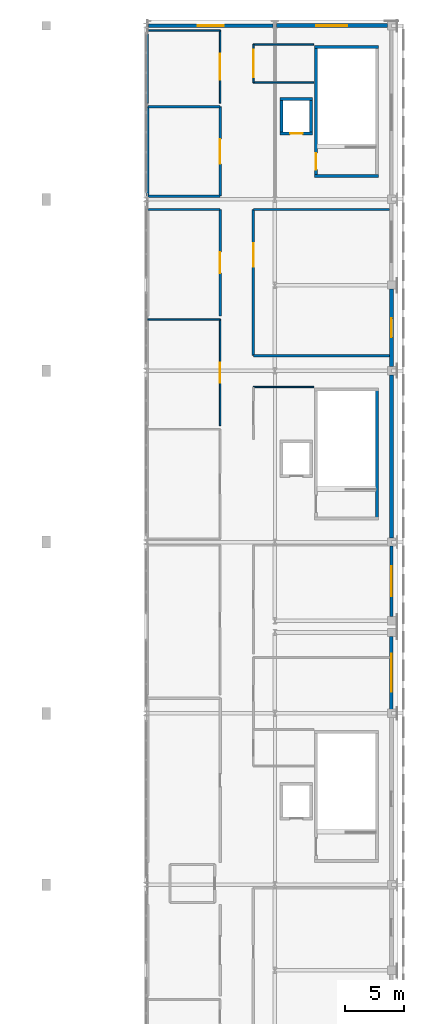
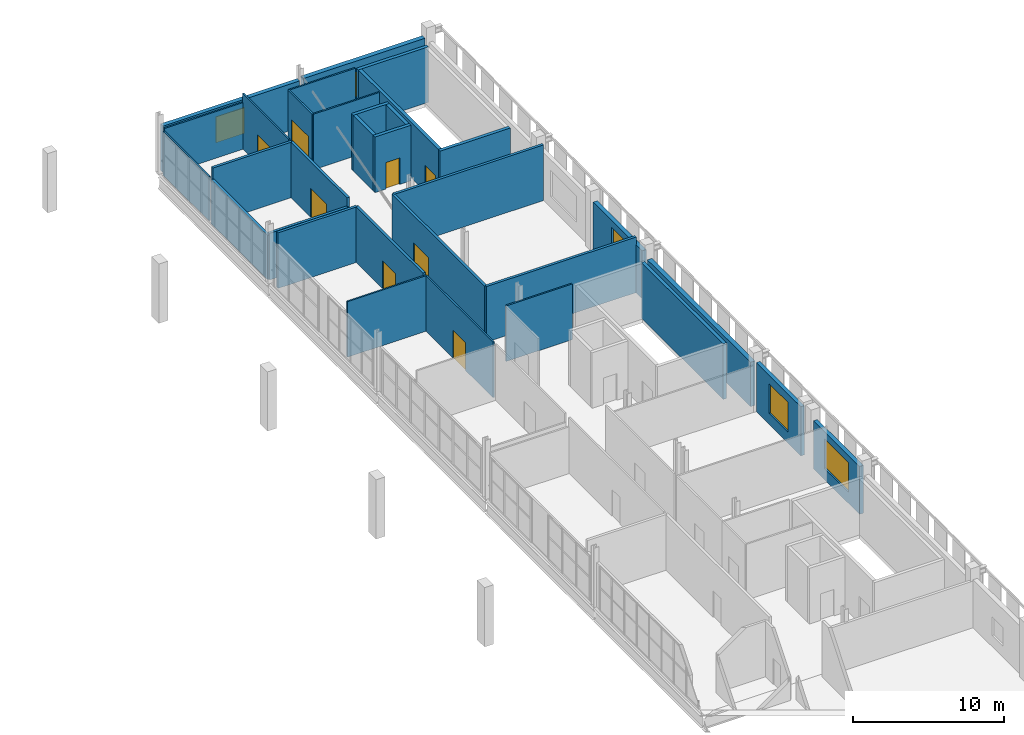
# One storey, part 38 of 51: 32 walls, 8 doors, 5 windows, 13 openings.
"""IFC4 building model written with IfcOpenShell, lengths in metres."""

from ifc_helpers import new_model, si_unit, direction, frame, frame_2d, origin, place, context, subcontext, project, spatial, rectangle, extrude, material, layer, layer_set, type_object, element, fill, save


model = new_model("IFC4")

# Units and contexts
model_context = context("Model", 3, precision=1e-05, world=origin(), true_north=direction((0.0, 1.0)))
body_context = subcontext(model_context, "Body", "Model", "MODEL_VIEW")
ifc_project = project(units=[si_unit("LENGTHUNIT", "METRE"), si_unit("AREAUNIT", "SQUARE_METRE"), si_unit("VOLUMEUNIT", "CUBIC_METRE"), si_unit("PLANEANGLEUNIT", "RADIAN"), si_unit("MASSUNIT", "GRAM", prefix="KILO")], contexts=[model_context])

# Site, building, storey
site_placement = place(None, origin())
site = spatial("IfcSite", under=ifc_project, at=site_placement, CompositionType="ELEMENT")
building_placement = place(site_placement, origin())
building = spatial("IfcBuilding", under=site, at=building_placement, Name="Koshinbarg Plaza Stadium", CompositionType="ELEMENT")
storey_placement = place(building_placement, frame((0.0, 0.0, 24.60009765625)))
storey = spatial("IfcBuildingStorey", under=building, at=storey_placement, Name="L05", CompositionType="ELEMENT", Elevation=24.60009765625)

# Walls
ifc_material_1 = material(Name="Concrete C40/50", Category="concrete")
ifc_layer_1 = layer(ifc_material_1, 0.25)
ifc_layer_set_1 = layer_set([ifc_layer_1], Name="Concrete C40/50")
wall_type_1 = type_object("IfcWallType", Name="WL-CORE-250", PredefinedType="SHEAR", material=ifc_layer_set_1)
wall_1_placement = place(storey_placement, frame((217.195068359375, 85.074951171875, 0.0), z_axis=(0.0, 0.0, 1.0), x_axis=(0.0, 1.0, 0.0)))
element("IfcWall", 1, at=wall_1_placement, inside=storey, type_object=wall_type_1, Name="L05 core stair shear wall C09-right IWL-L05-0233", PredefinedType="SHEAR", context=body_context, shape_type="SweptSolid", body=[
    extrude(rectangle(XDim=10.85009765625, YDim=0.25, at=frame_2d((5.425048828125, 0.0))), origin(), (0.0, 0.0, 1.0), 4.5),
])
for number, where, z_axis, x_axis, name in (
    (2, (211.949951171875, 113.875, 0.0), (0.0, 0.0, 1.0), (1.0, 0.0, 0.0), "L05 core stair shear wall C10-near IWL-L05-0254"),
    (3, (217.320068359375, 124.72509765625, 0.0), (0.0, 0.0, 1.0), (-1.0, 0.0, 0.0), "L05 core stair shear wall C10-far IWL-L05-0255"),
):
    element("IfcWall", number, at=place(storey_placement, frame(where, z_axis=z_axis, x_axis=x_axis)), inside=storey, type_object=wall_type_1, Name=name, PredefinedType="SHEAR", context=body_context, shape_type="SweptSolid", body=[
        extrude(rectangle(XDim=5.3701171875, YDim=0.25, at=frame_2d((2.68505859375, 0.0))), origin(), (0.0, 0.0, 1.0), 4.5),
    ])

# Wall, opening, door
wall_2_placement = place(storey_placement, frame((212.074951171875, 113.875, 0.0), z_axis=(0.0, 0.0, 1.0), x_axis=(0.0, 1.0, 0.0)))
wall_2 = element("IfcWall", 4, at=wall_2_placement, inside=storey, type_object=wall_type_1, Name="L05 core stair shear wall C10-left IWL-L05-0256", PredefinedType="SHEAR", context=body_context, shape_type="SweptSolid", body=[
    extrude(rectangle(XDim=10.85009765625, YDim=0.25, at=frame_2d((5.425048828125, 0.0))), origin(), (0.0, 0.0, 1.0), 4.5),
])
opening_1_placement = place(wall_2_placement, frame((0.52001953125, 0.0, 0.0)))
opening_1 = element("IfcOpeningElement", 5, at=opening_1_placement, cuts=wall_2, Name="Opening D-0126", PredefinedType="OPENING", context=body_context, shape_type="SweptSolid", body=[
    extrude(rectangle(XDim=1.39990234375, YDim=2.14990234375, at=frame_2d((0.699951171875, 1.074951171875))), frame((0.0, 0.135009765625, 0.0), z_axis=(0.0, -1.0, 0.0), x_axis=(1.0, 0.0, 0.0)), (0.0, 0.0, 1.0), 0.27001953125),
])
ifc_material_2 = material(Name="Painted galvanized steel fire door", Category="steel")
door_type_1 = type_object("IfcDoorType", Name="DR-STAIR-1400", OperationType="NOTDEFINED", PredefinedType="DOOR", material=ifc_material_2)
door_1_placement = place(opening_1_placement, frame((1.39990234375, 0.0, 0.0), z_axis=(0.0, 0.0, 1.0), x_axis=(-1.0, 0.0, 0.0)))
door_1 = element("IfcDoor", 6, at=door_1_placement, inside=storey, type_object=door_type_1, Name="L05 exit stair door C10", OperationType="SINGLE_SWING_RIGHT", OverallHeight=2.14990234375, OverallWidth=1.39990234375, PredefinedType="DOOR", context=body_context, shape_type="SweptSolid", body=[
    extrude(rectangle(XDim=1.39990234375, YDim=2.14990234375, at=frame_2d((0.699951171875, 1.074951171875))), frame((0.0, 0.02490234375, 0.0), z_axis=(0.0, -1.0, 0.0), x_axis=(1.0, 0.0, 0.0)), (0.0, 0.0, 1.0), 0.050048828125),
])
fill(opening_1, door_1)

wall_3_placement = place(storey_placement, frame((209.02490234375, 117.449951171875, 0.0), z_axis=(0.0, 0.0, 1.0), x_axis=(1.0, 0.0, 0.0)))
wall_3 = element("IfcWall", 7, at=wall_3_placement, inside=storey, type_object=wall_type_1, Name="L05 lift shaft shear wall LP06-S IWL-L05-0954", PredefinedType="SHEAR", context=body_context, shape_type="SweptSolid", body=[
    extrude(rectangle(XDim=2.75, YDim=0.25, at=frame_2d((1.375, 0.0))), origin(), (0.0, 0.0, 1.0), 4.5),
])
opening_2_placement = place(wall_3_placement, frame((0.85009765625, 0.0, 0.0)))
opening_2 = element("IfcOpeningElement", 8, at=opening_2_placement, cuts=wall_3, Name="Opening D-0308", PredefinedType="OPENING", context=body_context, shape_type="SweptSolid", body=[
    extrude(rectangle(XDim=1.050048828125, YDim=2.14990234375, at=frame_2d((0.52490234375, 1.074951171875))), frame((0.0, 0.135009765625, 0.0), z_axis=(0.0, -1.0, 0.0), x_axis=(1.0, 0.0, 0.0)), (0.0, 0.0, 1.0), 0.27001953125),
])
ifc_material_3 = material(Name="Brushed stainless steel sliding lift landing door", Category="steel")
door_type_2 = type_object("IfcDoorType", Name="DR-LIFT-1050", OperationType="NOTDEFINED", PredefinedType="DOOR", material=ifc_material_3)
door_2_placement = place(opening_2_placement, origin())
door_2 = element("IfcDoor", 9, at=door_2_placement, inside=storey, type_object=door_type_2, Name="L05 lift landing door LP06", OperationType="SLIDING_TO_LEFT", OverallHeight=2.14990234375, OverallWidth=1.050048828125, PredefinedType="DOOR", context=body_context, shape_type="SweptSolid", body=[
    extrude(rectangle(XDim=1.050048828125, YDim=2.14990234375, at=frame_2d((0.52490234375, 1.074951171875))), frame((0.0, 0.02490234375, 0.0), z_axis=(0.0, -1.0, 0.0), x_axis=(1.0, 0.0, 0.0)), (0.0, 0.0, 1.0), 0.050048828125),
])
fill(opening_2, door_2)

# Walls
wall_4_placement = place(storey_placement, frame((211.77490234375, 120.35009765625, 0.0), z_axis=(0.0, 0.0, 1.0), x_axis=(-1.0, 0.0, 0.0)))
element("IfcWall", 10, at=wall_4_placement, inside=storey, type_object=wall_type_1, Name="L05 lift shaft shear wall LP06-N IWL-L05-0955", PredefinedType="SHEAR", context=body_context, shape_type="SweptSolid", body=[
    extrude(rectangle(XDim=2.75, YDim=0.25, at=frame_2d((1.375, 0.0))), origin(), (0.0, 0.0, 1.0), 4.5),
])
for number, where, z_axis, x_axis, name in (
    (11, (209.14990234375, 120.35009765625, 0.0), (0.0, 0.0, 1.0), (0.0, -1.0, 0.0), "L05 lift shaft shear wall LP06-W IWL-L05-0956"),
    (12, (211.64990234375, 117.449951171875, 0.0), (0.0, 0.0, 1.0), (0.0, 1.0, 0.0), "L05 lift shaft shear wall LP06-E IWL-L05-0957"),
):
    element("IfcWall", number, at=place(storey_placement, frame(where, z_axis=z_axis, x_axis=x_axis)), inside=storey, type_object=wall_type_1, Name=name, PredefinedType="SHEAR", context=body_context, shape_type="SweptSolid", body=[
        extrude(rectangle(XDim=2.900146484375, YDim=0.25, at=frame_2d((1.4501953125, 0.0))), origin(), (0.0, 0.0, 1.0), 4.5),
    ])

# Wall, opening, window
ifc_material_4 = material(Name="Terracotta-ochre mineral plaster insulated wall", Category="masonry")
ifc_layer_2 = layer(ifc_material_4, 0.280029296875)
ifc_layer_set_2 = layer_set([ifc_layer_2], Name="Terracotta-ochre mineral plaster insulated wall")
wall_type_2 = type_object("IfcWallType", Name="WL-EXT-280", PredefinedType="SOLIDWALL", material=ifc_layer_set_2)
wall_5_placement = place(storey_placement, frame((218.39990234375, 82.7548828125, 0.0), z_axis=(0.0, 0.0, 1.0), x_axis=(0.0, -1.0, 0.0)))
wall_5 = element("IfcWall", 13, at=wall_5_placement, inside=storey, type_object=wall_type_2, Name="L05 exterior envelope wall EWL-L05-0240", PredefinedType="SOLIDWALL", context=body_context, shape_type="SweptSolid", body=[
    extrude(rectangle(XDim=5.909912109375, YDim=0.280029296875, at=frame_2d((2.955078125, 0.0))), origin(), (0.0, 0.0, 1.0), 3.97998046875),
])
opening_3_placement = place(wall_5_placement, frame((1.705078125, 0.0, 0.89990234375)))
opening_3 = element("IfcOpeningElement", 14, at=opening_3_placement, cuts=wall_5, Name="Opening WN21", PredefinedType="OPENING", context=body_context, shape_type="SweptSolid", body=[
    extrude(rectangle(XDim=2.5, YDim=2.39990234375, at=frame_2d((1.25, 1.199951171875))), frame((0.0, 0.14990234375, 0.0), z_axis=(0.0, -1.0, 0.0), x_axis=(1.0, 0.0, 0.0)), (0.0, 0.0, 1.0), 0.300048828125),
])
ifc_material_5 = material(Name="Solar-control double glazing in thermally broken aluminium frame", Category="aluminium")
window_type_1 = type_object("IfcWindowType", Name="WN-FAC-21", PartitioningType="DOUBLE_PANEL_VERTICAL", PredefinedType="WINDOW", material=ifc_material_5)
window_1_placement = place(opening_3_placement, origin())
window_1 = element("IfcWindow", 15, at=window_1_placement, inside=storey, type_object=window_type_1, Name="L05 facade window 0172", OverallHeight=2.39990234375, OverallWidth=2.5, PartitioningType="SINGLE_PANEL", PredefinedType="WINDOW", context=body_context, shape_type="SweptSolid", body=[
    extrude(rectangle(XDim=2.5, YDim=2.39990234375, at=frame_2d((1.25, 1.199951171875))), frame((0.0, 0.030029296875, 0.0), z_axis=(0.0, -1.0, 0.0), x_axis=(1.0, 0.0, 0.0)), (0.0, 0.0, 1.0), 0.06005859375),
])
fill(opening_3, window_1)

ifc_material_6 = material(Name="Off-white mineral plaster insulated wall", Category="masonry")
ifc_layer_3 = layer(ifc_material_6, 0.300048828125)
ifc_layer_set_3 = layer_set([ifc_layer_3], Name="Off-white mineral plaster insulated wall")
wall_type_3 = type_object("IfcWallType", Name="WL-EXT-300", PredefinedType="SOLIDWALL", material=ifc_layer_set_3)
wall_6_placement = place(storey_placement, frame((218.39990234375, 75.155029296875, 0.0), z_axis=(0.0, 0.0, 1.0), x_axis=(0.0, -1.0, 0.0)))
wall_6 = element("IfcWall", 16, at=wall_6_placement, inside=storey, type_object=wall_type_3, Name="L05 exterior envelope wall EWL-L05-0241", PredefinedType="SOLIDWALL", context=body_context, shape_type="SweptSolid", body=[
    extrude(rectangle(XDim=6.110107421875, YDim=0.300048828125, at=frame_2d((3.05517578125, 0.0))), origin(), (0.0, 0.0, 1.0), 3.8798828125),
])
opening_4_placement = place(wall_6_placement, frame((1.455078125, 0.0, 0.89990234375)))
opening_4 = element("IfcOpeningElement", 17, at=opening_4_placement, cuts=wall_6, Name="Opening WN22", PredefinedType="OPENING", context=body_context, shape_type="SweptSolid", body=[
    extrude(rectangle(XDim=3.199951171875, YDim=2.39990234375, at=frame_2d((1.60009765625, 1.199951171875))), frame((0.0, 0.159912109375, 0.0), z_axis=(0.0, -1.0, 0.0), x_axis=(1.0, 0.0, 0.0)), (0.0, 0.0, 1.0), 0.320068359375),
])
window_type_2 = type_object("IfcWindowType", Name="WN-FAC-22", PartitioningType="DOUBLE_PANEL_VERTICAL", PredefinedType="WINDOW", material=ifc_material_5)
window_2_placement = place(opening_4_placement, origin())
window_2 = element("IfcWindow", 18, at=window_2_placement, inside=storey, type_object=window_type_2, Name="L05 facade window 0173", OverallHeight=2.39990234375, OverallWidth=3.199951171875, PartitioningType="SINGLE_PANEL", PredefinedType="WINDOW", context=body_context, shape_type="SweptSolid", body=[
    extrude(rectangle(XDim=3.199951171875, YDim=2.39990234375, at=frame_2d((1.60009765625, 1.199951171875))), frame((0.0, 0.030029296875, 0.0), z_axis=(0.0, -1.0, 0.0), x_axis=(1.0, 0.0, 0.0)), (0.0, 0.0, 1.0), 0.06005859375),
])
fill(opening_4, window_2)

ifc_material_7 = material(Name="Ultramarine-blue pigmented mineral plaster facade wall", Category="masonry")
ifc_layer_4 = layer(ifc_material_7, 0.320068359375)
ifc_layer_set_4 = layer_set([ifc_layer_4], Name="Ultramarine-blue pigmented mineral plaster facade wall")
wall_type_4 = type_object("IfcWallType", Name="WL-EXT-320", PredefinedType="SOLIDWALL", material=ifc_layer_set_4)
wall_7_placement = place(storey_placement, frame((197.992431640625, 126.5, 0.0), z_axis=(0.0, 0.0, 1.0), x_axis=(1.0, 0.0, 0.0)))
wall_7 = element("IfcWall", 19, at=wall_7_placement, inside=storey, type_object=wall_type_4, Name="L05 exterior envelope wall EWL-L05-0234", PredefinedType="SOLIDWALL", context=body_context, shape_type="SweptSolid", body=[
    extrude(rectangle(XDim=10.462646484375, YDim=0.320068359375, at=frame_2d((5.2314453125, 0.0))), origin(), (0.0, 0.0, 1.0), 3.77978515625),
])
opening_5_placement = place(wall_7_placement, frame((4.13134765625, 0.0, 0.89990234375)))
opening_5 = element("IfcOpeningElement", 20, at=opening_5_placement, cuts=wall_7, Name="Opening WN15", PredefinedType="OPENING", context=body_context, shape_type="SweptSolid", body=[
    extrude(rectangle(XDim=2.199951171875, YDim=2.10009765625, at=frame_2d((1.10009765625, 1.050048828125))), frame((0.0, 0.169921875, 0.0), z_axis=(0.0, -1.0, 0.0), x_axis=(1.0, 0.0, 0.0)), (0.0, 0.0, 1.0), 0.340087890625),
])
window_type_3 = type_object("IfcWindowType", Name="WN-FAC-15", PartitioningType="DOUBLE_PANEL_VERTICAL", PredefinedType="WINDOW", material=ifc_material_5)
window_3_placement = place(opening_5_placement, origin())
window_3 = element("IfcWindow", 21, at=window_3_placement, inside=storey, type_object=window_type_3, Name="L05 facade window 0166", OverallHeight=2.10009765625, OverallWidth=2.199951171875, PartitioningType="SINGLE_PANEL", PredefinedType="WINDOW", context=body_context, shape_type="SweptSolid", body=[
    extrude(rectangle(XDim=2.199951171875, YDim=2.10009765625, at=frame_2d((1.10009765625, 1.050048828125))), frame((0.0, 0.030029296875, 0.0), z_axis=(0.0, -1.0, 0.0), x_axis=(1.0, 0.0, 0.0)), (0.0, 0.0, 1.0), 0.06005859375),
])
fill(opening_5, window_3)

wall_8_placement = place(storey_placement, frame((218.39990234375, 104.35498046875, 0.0), z_axis=(0.0, 0.0, 1.0), x_axis=(0.0, -1.0, 0.0)))
wall_8 = element("IfcWall", 22, at=wall_8_placement, inside=storey, type_object=wall_type_4, Name="L05 exterior envelope wall EWL-L05-0238", PredefinedType="SOLIDWALL", context=body_context, shape_type="SweptSolid", body=[
    extrude(rectangle(XDim=6.510009765625, YDim=0.320068359375, at=frame_2d((3.2548828125, 0.0))), origin(), (0.0, 0.0, 1.0), 3.8798828125),
])
opening_6_placement = place(wall_8_placement, frame((2.455078125, 0.0, 0.89990234375)))
opening_6 = element("IfcOpeningElement", 23, at=opening_6_placement, cuts=wall_8, Name="Opening WN19", PredefinedType="OPENING", context=body_context, shape_type="SweptSolid", body=[
    extrude(rectangle(XDim=1.60009765625, YDim=2.39990234375, at=frame_2d((0.800048828125, 1.199951171875))), frame((0.0, 0.169921875, 0.0), z_axis=(0.0, -1.0, 0.0), x_axis=(1.0, 0.0, 0.0)), (0.0, 0.0, 1.0), 0.340087890625),
])
window_type_4 = type_object("IfcWindowType", Name="WN-FAC-19", PartitioningType="DOUBLE_PANEL_VERTICAL", PredefinedType="WINDOW", material=ifc_material_5)
window_4_placement = place(opening_6_placement, origin())
window_4 = element("IfcWindow", 24, at=window_4_placement, inside=storey, type_object=window_type_4, Name="L05 facade window 0170", OverallHeight=2.39990234375, OverallWidth=1.60009765625, PartitioningType="SINGLE_PANEL", PredefinedType="WINDOW", context=body_context, shape_type="SweptSolid", body=[
    extrude(rectangle(XDim=1.60009765625, YDim=2.39990234375, at=frame_2d((0.800048828125, 1.199951171875))), frame((0.0, 0.030029296875, 0.0), z_axis=(0.0, -1.0, 0.0), x_axis=(1.0, 0.0, 0.0)), (0.0, 0.0, 1.0), 0.06005859375),
])
fill(opening_6, window_4)

ifc_material_8 = material(Name="Acoustic insulated masonry stadium wall", Category="masonry")
ifc_layer_5 = layer(ifc_material_8, 0.35009765625)
ifc_layer_set_5 = layer_set([ifc_layer_5], Name="Acoustic insulated masonry stadium wall")
wall_type_5 = type_object("IfcWallType", Name="WL-EXT-350", PredefinedType="SOLIDWALL", material=ifc_layer_set_5)
wall_9_placement = place(storey_placement, frame((208.7451171875, 126.5, 0.0), z_axis=(0.0, 0.0, 1.0), x_axis=(1.0, 0.0, 0.0)))
wall_9 = element("IfcWall", 25, at=wall_9_placement, inside=storey, type_object=wall_type_5, Name="L05 exterior envelope wall EWL-L05-0235", PredefinedType="SOLIDWALL", context=body_context, shape_type="SweptSolid", body=[
    extrude(rectangle(XDim=9.309814453125, YDim=0.35009765625, at=frame_2d((4.65478515625, 0.0))), origin(), (0.0, 0.0, 1.0), 3.8798828125),
])
opening_7_placement = place(wall_9_placement, frame((3.35498046875, 0.0, 0.89990234375)))
opening_7 = element("IfcOpeningElement", 26, at=opening_7_placement, cuts=wall_9, Name="Opening WN16", PredefinedType="OPENING", context=body_context, shape_type="SweptSolid", body=[
    extrude(rectangle(XDim=2.60009765625, YDim=2.10009765625, at=frame_2d((1.300048828125, 1.050048828125))), frame((0.0, 0.18505859375, 0.0), z_axis=(0.0, -1.0, 0.0), x_axis=(1.0, 0.0, 0.0)), (0.0, 0.0, 1.0), 0.3701171875),
])
window_type_5 = type_object("IfcWindowType", Name="WN-FAC-16", PartitioningType="DOUBLE_PANEL_VERTICAL", PredefinedType="WINDOW", material=ifc_material_5)
window_5_placement = place(opening_7_placement, origin())
window_5 = element("IfcWindow", 27, at=window_5_placement, inside=storey, type_object=window_type_5, Name="L05 facade window 0167", OverallHeight=2.10009765625, OverallWidth=2.60009765625, PartitioningType="SINGLE_PANEL", PredefinedType="WINDOW", context=body_context, shape_type="SweptSolid", body=[
    extrude(rectangle(XDim=2.60009765625, YDim=2.10009765625, at=frame_2d((1.300048828125, 1.050048828125))), frame((0.0, 0.030029296875, 0.0), z_axis=(0.0, -1.0, 0.0), x_axis=(1.0, 0.0, 0.0)), (0.0, 0.0, 1.0), 0.06005859375),
])
fill(opening_7, window_5)

# Wall
wall_10_placement = place(storey_placement, frame((218.39990234375, 97.155029296875, 0.0), z_axis=(0.0, 0.0, 1.0), x_axis=(0.0, -1.0, 0.0)))
element("IfcWall", 28, at=wall_10_placement, inside=storey, type_object=wall_type_5, Name="L05 exterior envelope wall EWL-L05-0239", PredefinedType="SOLIDWALL", context=body_context, shape_type="SweptSolid", body=[
    extrude(rectangle(XDim=13.7099609375, YDim=0.35009765625, at=frame_2d((6.85498046875, 0.0))), origin(), (0.0, 0.0, 1.0), 3.579833984375),
])

# Wall, opening, door
ifc_material_9 = material(Name="Gypsum board metal-stud acoustic partition")
ifc_layer_6 = layer(ifc_material_9, 0.1201171875)
ifc_layer_set_6 = layer_set([ifc_layer_6], Name="Gypsum board metal-stud acoustic partition")
wall_type_6 = type_object("IfcWallType", Name="WL-PART-120", PredefinedType="PARTITIONING", material=ifc_layer_set_6)
wall_11_placement = place(storey_placement, frame((204.0, 92.88330078125, 0.0), z_axis=(0.0, 0.0, 1.0), x_axis=(0.0, 1.0, 0.0)))
wall_11 = element("IfcWall", 29, at=wall_11_placement, inside=storey, type_object=wall_type_6, Name="L05 interior partition L05-72-east IWL-L05-2360", PredefinedType="PARTITIONING", context=body_context, shape_type="SweptSolid", body=[
    extrude(rectangle(XDim=8.933349609375, YDim=0.1201171875, at=frame_2d((4.466796875, 0.0))), origin(), (0.0, 0.0, 1.0), 4.5),
])
opening_8_placement = place(wall_11_placement, frame((3.626708984375, 0.0, 0.0)))
opening_8 = element("IfcOpeningElement", 30, at=opening_8_placement, cuts=wall_11, Name="Opening D-0819", PredefinedType="OPENING", context=body_context, shape_type="SweptSolid", body=[
    extrude(rectangle(XDim=1.679931640625, YDim=2.25, at=frame_2d((0.83984375, 1.125))), frame((0.0, 0.070068359375, 0.0), z_axis=(0.0, -1.0, 0.0), x_axis=(1.0, 0.0, 0.0)), (0.0, 0.0, 1.0), 0.14013671875),
])
ifc_material_10 = material(Name="Powder-coated aluminium double glazed door", Category="aluminium")
door_type_3 = type_object("IfcDoorType", Name="DR-INT-1680x2250", OperationType="NOTDEFINED", PredefinedType="DOOR", material=ifc_material_10)
door_3_placement = place(opening_8_placement, origin())
door_3 = element("IfcDoor", 31, at=door_3_placement, inside=storey, type_object=door_type_3, Name="L05 Panoramic Club Salon door D-0819", OperationType="DOUBLE_DOOR_SINGLE_SWING", OverallHeight=2.25, OverallWidth=1.679931640625, PredefinedType="DOOR", context=body_context, shape_type="SweptSolid", body=[
    extrude(rectangle(XDim=1.679931640625, YDim=2.25, at=frame_2d((0.83984375, 1.125))), frame((0.0, 0.02490234375, 0.0), z_axis=(0.0, -1.0, 0.0), x_axis=(1.0, 0.0, 0.0)), (0.0, 0.0, 1.0), 0.050048828125),
])
fill(opening_8, door_3)

# Walls
wall_12_placement = place(storey_placement, frame((204.0, 101.816650390625, 0.0), z_axis=(0.0, 0.0, 1.0), x_axis=(-1.0, 0.0, 0.0)))
element("IfcWall", 32, at=wall_12_placement, inside=storey, type_object=wall_type_6, Name="L05 interior partition L05-72-north IWL-L05-2361", PredefinedType="PARTITIONING", context=body_context, shape_type="SweptSolid", body=[
    extrude(rectangle(XDim=6.080078125, YDim=0.1201171875, at=frame_2d((3.0400390625, 0.0))), origin(), (0.0, 0.0, 1.0), 4.5),
])
wall_13_placement = place(storey_placement, frame((211.8701171875, 96.1298828125, 0.0), z_axis=(0.0, 0.0, 1.0), x_axis=(-1.0, 0.0, 0.0)))
element("IfcWall", 33, at=wall_13_placement, inside=storey, type_object=wall_type_6, Name="L05 interior partition L05-74-north IWL-L05-2366", PredefinedType="PARTITIONING", context=body_context, shape_type="SweptSolid", body=[
    extrude(rectangle(XDim=5.070068359375, YDim=0.1201171875, at=frame_2d((2.53515625, 0.0))), origin(), (0.0, 0.0, 1.0), 4.5),
])

# Wall, opening, door
wall_14_placement = place(storey_placement, frame((204.0, 119.999267578125, 0.0), z_axis=(0.0, 0.0, 1.0), x_axis=(0.0, 1.0, 0.0)))
wall_14 = element("IfcWall", 34, at=wall_14_placement, inside=storey, type_object=wall_type_6, Name="L05 interior partition L05-77-east IWL-L05-2375", PredefinedType="PARTITIONING", context=body_context, shape_type="SweptSolid", body=[
    extrude(rectangle(XDim=6.105712890625, YDim=0.1201171875, at=frame_2d((3.052734375, 0.0))), origin(), (0.0, 0.0, 1.0), 4.5),
])
opening_9_placement = place(wall_14_placement, frame((1.972900390625, 0.0, 0.0)))
opening_9 = element("IfcOpeningElement", 35, at=opening_9_placement, cuts=wall_14, Name="Opening D-0824", PredefinedType="OPENING", context=body_context, shape_type="SweptSolid", body=[
    extrude(rectangle(XDim=2.159912109375, YDim=2.35009765625, at=frame_2d((1.080078125, 1.175048828125))), frame((0.0, 0.070068359375, 0.0), z_axis=(0.0, -1.0, 0.0), x_axis=(1.0, 0.0, 0.0)), (0.0, 0.0, 1.0), 0.14013671875),
])
ifc_material_11 = material(Name="Galvanized painted steel double leaf door", Category="steel")
door_type_4 = type_object("IfcDoorType", Name="DR-INT-2160x2350", OperationType="NOTDEFINED", PredefinedType="DOOR", material=ifc_material_11)
door_4_placement = place(opening_9_placement, origin())
door_4 = element("IfcDoor", 36, at=door_4_placement, inside=storey, type_object=door_type_4, Name="L05 East Terrace Kitchen door D-0824", OperationType="DOUBLE_DOOR_SINGLE_SWING", OverallHeight=2.35009765625, OverallWidth=2.159912109375, PredefinedType="DOOR", context=body_context, shape_type="SweptSolid", body=[
    extrude(rectangle(XDim=2.159912109375, YDim=2.35009765625, at=frame_2d((1.080078125, 1.175048828125))), frame((0.0, 0.02490234375, 0.0), z_axis=(0.0, -1.0, 0.0), x_axis=(1.0, 0.0, 0.0)), (0.0, 0.0, 1.0), 0.050048828125),
])
fill(opening_9, door_4)

# Walls
wall_15_placement = place(storey_placement, frame((204.0, 126.10498046875, 0.0), z_axis=(0.0, 0.0, 1.0), x_axis=(-1.0, 0.0, 0.0)))
element("IfcWall", 37, at=wall_15_placement, inside=storey, type_object=wall_type_6, Name="L05 interior partition L05-77-north IWL-L05-2376", PredefinedType="PARTITIONING", context=body_context, shape_type="SweptSolid", body=[
    extrude(rectangle(XDim=6.080078125, YDim=0.1201171875, at=frame_2d((3.0400390625, 0.0))), origin(), (0.0, 0.0, 1.0), 3.77978515625),
])
wall_16_placement = place(storey_placement, frame((197.919921875, 126.10498046875, 0.0), z_axis=(0.0, 0.0, 1.0), x_axis=(0.0, -1.0, 0.0)))
element("IfcWall", 38, at=wall_16_placement, inside=storey, type_object=wall_type_6, Name="L05 interior partition L05-77-west IWL-L05-2377", PredefinedType="PARTITIONING", context=body_context, shape_type="SweptSolid", body=[
    extrude(rectangle(XDim=6.105712890625, YDim=0.1201171875, at=frame_2d((3.052734375, 0.0))), origin(), (0.0, 0.0, 1.0), 3.579833984375),
])
for number, where, z_axis, x_axis, name in (
    (39, (206.800048828125, 121.70751953125, 0.0), (0.0, 0.0, 1.0), (1.0, 0.0, 0.0), "L05 interior partition L05-78-south IWL-L05-2378"),
    (40, (211.8701171875, 124.929931640625, 0.0), (0.0, 0.0, 1.0), (-1.0, 0.0, 0.0), "L05 interior partition L05-78-north IWL-L05-2379"),
):
    element("IfcWall", number, at=place(storey_placement, frame(where, z_axis=z_axis, x_axis=x_axis)), inside=storey, type_object=wall_type_6, Name=name, PredefinedType="PARTITIONING", context=body_context, shape_type="SweptSolid", body=[
        extrude(rectangle(XDim=5.070068359375, YDim=0.1201171875, at=frame_2d((2.53515625, 0.0))), origin(), (0.0, 0.0, 1.0), 4.5),
    ])

# Wall, opening, door
wall_17_placement = place(storey_placement, frame((206.800048828125, 124.929931640625, 0.0), z_axis=(0.0, 0.0, 1.0), x_axis=(0.0, -1.0, 0.0)))
wall_17 = element("IfcWall", 41, at=wall_17_placement, inside=storey, type_object=wall_type_6, Name="L05 interior partition L05-78-west IWL-L05-2380", PredefinedType="PARTITIONING", context=body_context, shape_type="SweptSolid", body=[
    extrude(rectangle(XDim=3.222412109375, YDim=0.1201171875, at=frame_2d((1.611328125, 0.0))), origin(), (0.0, 0.0, 1.0), 4.5),
])
opening_10_placement = place(wall_17_placement, frame((0.47119140625, 0.0, 0.0)))
opening_10 = element("IfcOpeningElement", 42, at=opening_10_placement, cuts=wall_17, Name="Opening D-0825", PredefinedType="OPENING", context=body_context, shape_type="SweptSolid", body=[
    extrude(rectangle(XDim=2.280029296875, YDim=2.39990234375, at=frame_2d((1.14013671875, 1.199951171875))), frame((0.0, 0.070068359375, 0.0), z_axis=(0.0, -1.0, 0.0), x_axis=(1.0, 0.0, 0.0)), (0.0, 0.0, 1.0), 0.14013671875),
])
ifc_material_12 = material(Name="Anodised aluminium and laminated glass portal door", Category="aluminium")
door_type_5 = type_object("IfcDoorType", Name="DR-INT-2280x2400", OperationType="NOTDEFINED", PredefinedType="DOOR", material=ifc_material_12)
door_5_placement = place(opening_10_placement, origin())
door_5 = element("IfcDoor", 43, at=door_5_placement, inside=storey, type_object=door_type_5, Name="L05 Panoramic Club Salon door D-0825", OperationType="DOUBLE_DOOR_SINGLE_SWING", OverallHeight=2.39990234375, OverallWidth=2.280029296875, PredefinedType="DOOR", context=body_context, shape_type="SweptSolid", body=[
    extrude(rectangle(XDim=2.280029296875, YDim=2.39990234375, at=frame_2d((1.14013671875, 1.199951171875))), frame((0.0, 0.02490234375, 0.0), z_axis=(0.0, -1.0, 0.0), x_axis=(1.0, 0.0, 0.0)), (0.0, 0.0, 1.0), 0.050048828125),
])
fill(opening_10, door_5)

ifc_material_13 = material(Name="Autoclaved aerated blockwork fire partition", Category="masonry")
ifc_layer_7 = layer(ifc_material_13, 0.199951171875)
ifc_layer_set_7 = layer_set([ifc_layer_7], Name="Autoclaved aerated blockwork fire partition")
wall_type_7 = type_object("IfcWallType", Name="WL-PART-200", PredefinedType="PARTITIONING", material=ifc_layer_set_7)
wall_18_placement = place(storey_placement, frame((204.0, 102.11669921875, 0.0), z_axis=(0.0, 0.0, 1.0), x_axis=(0.0, 1.0, 0.0)))
wall_18 = element("IfcWall", 44, at=wall_18_placement, inside=storey, type_object=wall_type_7, Name="L05 interior partition L05-73-east IWL-L05-2363", PredefinedType="PARTITIONING", context=body_context, shape_type="SweptSolid", body=[
    extrude(rectangle(XDim=8.933349609375, YDim=0.199951171875, at=frame_2d((4.466796875, 0.0))), origin(), (0.0, 0.0, 1.0), 4.5),
])
opening_11_placement = place(wall_18_placement, frame((3.586669921875, 0.0, 0.0)))
opening_11 = element("IfcOpeningElement", 45, at=opening_11_placement, cuts=wall_18, Name="Opening D-0820", PredefinedType="OPENING", context=body_context, shape_type="SweptSolid", body=[
    extrude(rectangle(XDim=1.760009765625, YDim=2.25, at=frame_2d((0.8798828125, 1.125))), frame((0.0, 0.10986328125, 0.0), z_axis=(0.0, -1.0, 0.0), x_axis=(1.0, 0.0, 0.0)), (0.0, 0.0, 1.0), 0.219970703125),
])
ifc_material_14 = material(Name="Solid-core oak veneer double swing door")
door_type_6 = type_object("IfcDoorType", Name="DR-INT-1760x2250", OperationType="NOTDEFINED", PredefinedType="DOOR", material=ifc_material_14)
door_6_placement = place(opening_11_placement, origin())
door_6 = element("IfcDoor", 46, at=door_6_placement, inside=storey, type_object=door_type_6, Name="L05 Scoreboard Technical Control door D-0820", OperationType="DOUBLE_DOOR_SINGLE_SWING", OverallHeight=2.25, OverallWidth=1.760009765625, PredefinedType="DOOR", context=body_context, shape_type="SweptSolid", body=[
    extrude(rectangle(XDim=1.760009765625, YDim=2.25, at=frame_2d((0.8798828125, 1.125))), frame((0.0, 0.02490234375, 0.0), z_axis=(0.0, -1.0, 0.0), x_axis=(1.0, 0.0, 0.0)), (0.0, 0.0, 1.0), 0.050048828125),
])
fill(opening_11, door_6)

# Walls
wall_19_placement = place(storey_placement, frame((204.0, 111.050048828125, 0.0), z_axis=(0.0, 0.0, 1.0), x_axis=(-1.0, 0.0, 0.0)))
element("IfcWall", 47, at=wall_19_placement, inside=storey, type_object=wall_type_7, Name="L05 interior partition L05-73-north IWL-L05-2364", PredefinedType="PARTITIONING", context=body_context, shape_type="SweptSolid", body=[
    extrude(rectangle(XDim=6.080078125, YDim=0.199951171875, at=frame_2d((3.0400390625, 0.0))), origin(), (0.0, 0.0, 1.0), 4.5),
])
for number, where, z_axis, x_axis, name in (
    (48, (206.800048828125, 98.759033203125, 0.0), (0.0, 0.0, 1.0), (1.0, 0.0, 0.0), "L05 interior partition L05-75-south IWL-L05-2368"),
    (49, (218.2548828125, 111.050048828125, 0.0), (0.0, 0.0, 1.0), (-1.0, 0.0, 0.0), "L05 interior partition L05-75-north IWL-L05-2369"),
):
    element("IfcWall", number, at=place(storey_placement, frame(where, z_axis=z_axis, x_axis=x_axis)), inside=storey, type_object=wall_type_7, Name=name, PredefinedType="PARTITIONING", context=body_context, shape_type="SweptSolid", body=[
        extrude(rectangle(XDim=11.454833984375, YDim=0.199951171875, at=frame_2d((5.7275390625, 0.0))), origin(), (0.0, 0.0, 1.0), 4.5),
    ])

# Wall, opening, door
wall_20_placement = place(storey_placement, frame((206.800048828125, 111.050048828125, 0.0), z_axis=(0.0, 0.0, 1.0), x_axis=(0.0, -1.0, 0.0)))
wall_20 = element("IfcWall", 50, at=wall_20_placement, inside=storey, type_object=wall_type_7, Name="L05 interior partition L05-75-west IWL-L05-2370", PredefinedType="PARTITIONING", context=body_context, shape_type="SweptSolid", body=[
    extrude(rectangle(XDim=12.291015625, YDim=0.199951171875, at=frame_2d((6.1455078125, 0.0))), origin(), (0.0, 0.0, 1.0), 4.5),
])
opening_12_placement = place(wall_20_placement, frame((2.85400390625, 0.0, 0.0)))
opening_12 = element("IfcOpeningElement", 51, at=opening_12_placement, cuts=wall_20, Name="Opening D-0822", PredefinedType="OPENING", context=body_context, shape_type="SweptSolid", body=[
    extrude(rectangle(XDim=1.9599609375, YDim=2.300048828125, at=frame_2d((0.97998046875, 1.14990234375))), frame((0.0, 0.10986328125, 0.0), z_axis=(0.0, -1.0, 0.0), x_axis=(1.0, 0.0, 0.0)), (0.0, 0.0, 1.0), 0.219970703125),
])
ifc_material_15 = material(Name="Bronze-anodised aluminium glazed double door", Category="aluminium")
door_type_7 = type_object("IfcDoorType", Name="DR-INT-1960x2300", OperationType="NOTDEFINED", PredefinedType="DOOR", material=ifc_material_15)
door_7_placement = place(opening_12_placement, origin())
door_7 = element("IfcDoor", 52, at=door_7_placement, inside=storey, type_object=door_type_7, Name="L05 Scoreboard Technical Control door D-0822", OperationType="DOUBLE_DOOR_SINGLE_SWING", OverallHeight=2.300048828125, OverallWidth=1.9599609375, PredefinedType="DOOR", context=body_context, shape_type="SweptSolid", body=[
    extrude(rectangle(XDim=1.9599609375, YDim=2.300048828125, at=frame_2d((0.97998046875, 1.14990234375))), frame((0.0, 0.02490234375, 0.0), z_axis=(0.0, -1.0, 0.0), x_axis=(1.0, 0.0, 0.0)), (0.0, 0.0, 1.0), 0.050048828125),
])
fill(opening_12, door_7)

# Wall
wall_21_placement = place(storey_placement, frame((197.919921875, 112.169921875, 0.0), z_axis=(0.0, 0.0, 1.0), x_axis=(1.0, 0.0, 0.0)))
element("IfcWall", 53, at=wall_21_placement, inside=storey, type_object=wall_type_7, Name="L05 interior partition L05-76-south IWL-L05-2371", PredefinedType="PARTITIONING", context=body_context, shape_type="SweptSolid", body=[
    extrude(rectangle(XDim=6.080078125, YDim=0.199951171875, at=frame_2d((3.0400390625, 0.0))), origin(), (0.0, 0.0, 1.0), 3.77978515625),
])

# Wall, opening, door
wall_22_placement = place(storey_placement, frame((204.0, 112.169921875, 0.0), z_axis=(0.0, 0.0, 1.0), x_axis=(0.0, 1.0, 0.0)))
wall_22 = element("IfcWall", 54, at=wall_22_placement, inside=storey, type_object=wall_type_7, Name="L05 interior partition L05-76-east IWL-L05-2372", PredefinedType="PARTITIONING", context=body_context, shape_type="SweptSolid", body=[
    extrude(rectangle(XDim=7.529296875, YDim=0.199951171875, at=frame_2d((3.7646484375, 0.0))), origin(), (0.0, 0.0, 1.0), 4.5),
])
opening_13_placement = place(wall_22_placement, frame((2.724609375, 0.0, 0.0)))
opening_13 = element("IfcOpeningElement", 55, at=opening_13_placement, cuts=wall_22, Name="Opening D-0823", PredefinedType="OPENING", context=body_context, shape_type="SweptSolid", body=[
    extrude(rectangle(XDim=2.080078125, YDim=2.35009765625, at=frame_2d((1.0400390625, 1.175048828125))), frame((0.0, 0.10986328125, 0.0), z_axis=(0.0, -1.0, 0.0), x_axis=(1.0, 0.0, 0.0)), (0.0, 0.0, 1.0), 0.219970703125),
])
ifc_material_16 = material(Name="Laminated safety glass aluminium vestibule door", Category="aluminium")
door_type_8 = type_object("IfcDoorType", Name="DR-INT-2080x2350", OperationType="NOTDEFINED", PredefinedType="DOOR", material=ifc_material_16)
door_8_placement = place(opening_13_placement, origin())
door_8 = element("IfcDoor", 56, at=door_8_placement, inside=storey, type_object=door_type_8, Name="L05 Scoreboard Technical Control door D-0823", OperationType="DOUBLE_DOOR_SINGLE_SWING", OverallHeight=2.35009765625, OverallWidth=2.080078125, PredefinedType="DOOR", context=body_context, shape_type="SweptSolid", body=[
    extrude(rectangle(XDim=2.080078125, YDim=2.35009765625, at=frame_2d((1.0400390625, 1.175048828125))), frame((0.0, 0.02490234375, 0.0), z_axis=(0.0, -1.0, 0.0), x_axis=(1.0, 0.0, 0.0)), (0.0, 0.0, 1.0), 0.050048828125),
])
fill(opening_13, door_8)

# Walls
wall_23_placement = place(storey_placement, frame((204.0, 119.69921875, 0.0), z_axis=(0.0, 0.0, 1.0), x_axis=(-1.0, 0.0, 0.0)))
element("IfcWall", 57, at=wall_23_placement, inside=storey, type_object=wall_type_7, Name="L05 interior partition L05-76-north IWL-L05-2373", PredefinedType="PARTITIONING", context=body_context, shape_type="SweptSolid", body=[
    extrude(rectangle(XDim=6.080078125, YDim=0.199951171875, at=frame_2d((3.0400390625, 0.0))), origin(), (0.0, 0.0, 1.0), 4.5),
])
wall_24_placement = place(storey_placement, frame((197.919921875, 119.69921875, 0.0), z_axis=(0.0, 0.0, 1.0), x_axis=(0.0, -1.0, 0.0)))
element("IfcWall", 58, at=wall_24_placement, inside=storey, type_object=wall_type_7, Name="L05 interior partition L05-76-west IWL-L05-2374", PredefinedType="PARTITIONING", context=body_context, shape_type="SweptSolid", body=[
    extrude(rectangle(XDim=7.529296875, YDim=0.199951171875, at=frame_2d((3.7646484375, 0.0))), origin(), (0.0, 0.0, 1.0), 3.579833984375),
])

save(model, "model.ifc")
